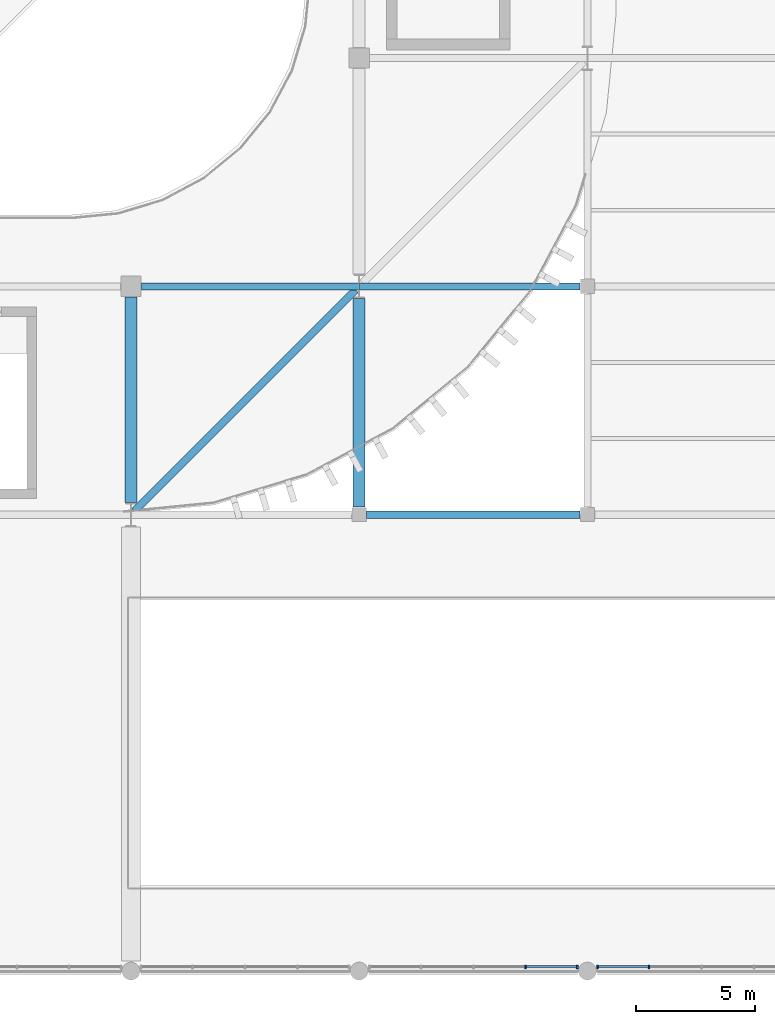
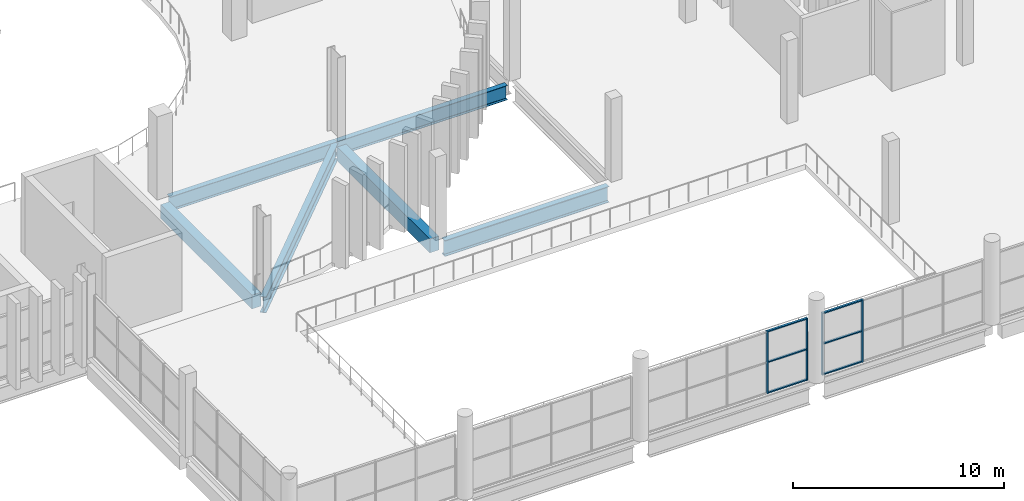
# One storey, part 39 of 99: 10 members, 6 beams, 2 elements without a shape of their own.
"""IFC4 building model written with IfcOpenShell, lengths in metres."""

from ifc_helpers import new_model, si_unit, direction, frame, origin, origin_2d, place, context, subcontext, project, spatial, rectangle, i_section, extrude, material, layer, layer_set, material_profile, profile_set, type_object, element, aggregate, save


model = new_model("IFC4")

# Units and contexts
model_context = context("Model", 3, precision=1e-05, world=origin(), true_north=direction((0.0, 1.0)))
body_context = subcontext(model_context, "Body", "Model", "MODEL_VIEW")
ifc_project = project(units=[si_unit("LENGTHUNIT", "METRE"), si_unit("AREAUNIT", "SQUARE_METRE"), si_unit("VOLUMEUNIT", "CUBIC_METRE"), si_unit("PLANEANGLEUNIT", "RADIAN"), si_unit("MASSUNIT", "GRAM", prefix="KILO")], contexts=[model_context])

# Site, building, storey
site_placement = place(None, origin())
site = spatial("IfcSite", under=ifc_project, at=site_placement, CompositionType="ELEMENT")
building_placement = place(site_placement, origin())
building = spatial("IfcBuilding", under=site, at=building_placement, Name="Caelomonte Colonnade Arena", CompositionType="ELEMENT")
storey_placement = place(building_placement, frame((0.0, 0.0, 4.800048828125)))
storey = spatial("IfcBuildingStorey", under=building, at=storey_placement, Name="L01", CompositionType="ELEMENT", Elevation=4.800048828125)

# Curtain wall, members
ifc_material_1 = material(Name="Bronze anodised aluminium and low-E glazing", Category="aluminium")
ifc_layer = layer(ifc_material_1, 0.179931640625)
ifc_layer_set = layer_set([ifc_layer], Name="Bronze anodised aluminium and low-E glazing")
curtain_wall_type = type_object("IfcCurtainWallType", Name="ENV-CW-CW-L01-89-36", PredefinedType="USERDEFINED", material=ifc_layer_set)
curtain_wall_1_placement = place(storey_placement, origin())
curtain_wall_1 = element("IfcCurtainWall", 1, at=curtain_wall_1_placement, inside=storey, type_object=curtain_wall_type, Name="L01 unitized curtain wall CW-L01-1584-0002", ObjectType="UNITIZED CURTAIN WALL", PredefinedType="USERDEFINED")
ifc_material_2 = material(Name="Bronze anodised aluminium AA6063-T6", Category="aluminium")
ifc_material_profile_1 = material_profile(ifc_material_2, rectangle(XDim=0.06494140625, YDim=0.14990234375, at=origin_2d()), Name="CWM-65X150")
ifc_profile_set_1 = profile_set([ifc_material_profile_1], Name="Bronze anodised aluminium AA6063-T6")
member_type_1 = type_object("IfcMemberType", Name="ENV-CW-MULL2", PredefinedType="MULLION", material=ifc_profile_set_1)
member_1_placement = place(storey_placement, frame((160.6025390625, 0.179931640625, 0.0), z_axis=(0.0, 0.0, 1.0), x_axis=(1.0, 0.0, 0.0)))
member_1 = element("IfcMember", 2, at=member_1_placement, type_object=member_type_1, Name="CW-L01-89-36 mullion 4", PredefinedType="MULLION", context=body_context, shape_type="SweptSolid", body=[
    extrude(rectangle(XDim=0.06494140625, YDim=0.14990234375, at=origin_2d()), origin(), (0.0, 0.0, 1.0), 3.593017578125),
])
member_2_placement = place(storey_placement, frame((162.7724609375, 0.179931640625, 0.0), z_axis=(0.0, 0.0, 1.0), x_axis=(1.0, 0.0, 0.0)))
member_2 = element("IfcMember", 3, at=member_2_placement, type_object=member_type_1, Name="CW-L01-89-36 mullion 5", PredefinedType="MULLION", context=body_context, shape_type="SweptSolid", body=[
    extrude(rectangle(XDim=0.06494140625, YDim=0.14990234375, at=origin_2d()), origin(), (0.0, 0.0, 1.0), 3.593017578125),
])

curtain_wall_2_placement = place(storey_placement, origin())
curtain_wall_2 = element("IfcCurtainWall", 4, at=curtain_wall_2_placement, inside=storey, type_object=curtain_wall_type, Name="L01 unitized curtain wall CW-L01-1680-0002", ObjectType="UNITIZED CURTAIN WALL", PredefinedType="USERDEFINED")
member_3_placement = place(storey_placement, frame((163.62744140625, 0.179931640625, 0.0), z_axis=(0.0, 0.0, 1.0), x_axis=(1.0, 0.0, 0.0)))
member_3 = element("IfcMember", 5, at=member_3_placement, type_object=member_type_1, Name="CW-L01-89-36 mullion 1", PredefinedType="MULLION", context=body_context, shape_type="SweptSolid", body=[
    extrude(rectangle(XDim=0.06494140625, YDim=0.14990234375, at=origin_2d()), origin(), (0.0, 0.0, 1.0), 3.593017578125),
])
member_4_placement = place(storey_placement, frame((165.797607421875, 0.179931640625, 0.0), z_axis=(0.0, 0.0, 1.0), x_axis=(1.0, 0.0, 0.0)))
member_4 = element("IfcMember", 6, at=member_4_placement, type_object=member_type_1, Name="CW-L01-89-36 mullion 2", PredefinedType="MULLION", context=body_context, shape_type="SweptSolid", body=[
    extrude(rectangle(XDim=0.06494140625, YDim=0.14990234375, at=origin_2d()), origin(), (0.0, 0.0, 1.0), 3.593017578125),
])

# Member
ifc_material_profile_2 = material_profile(ifc_material_2, rectangle(XDim=0.06494140625, YDim=0.1201171875, at=origin_2d()), Name="CWT-65X120")
ifc_profile_set_2 = profile_set([ifc_material_profile_2], Name="Bronze anodised aluminium AA6063-T6")
member_type_2 = type_object("IfcMemberType", Name="ENV-CW-TRAN2", PredefinedType="USERDEFINED", material=ifc_profile_set_2)
member_5_placement = place(storey_placement, frame((160.635009765625, 0.179931640625, 0.032470703125), z_axis=(1.0, 0.0, 0.0), x_axis=(0.0, 0.0, 1.0)))
member_5 = element("IfcMember", 7, at=member_5_placement, type_object=member_type_2, Name="CW-L01-89-36 transom 4.1", ObjectType="TRANSOM", PredefinedType="USERDEFINED", context=body_context, shape_type="SweptSolid", body=[
    extrude(rectangle(XDim=0.06494140625, YDim=0.1201171875, at=origin_2d()), origin(), (0.0, 0.0, 1.0), 2.10498046875),
])

member_6_placement = place(storey_placement, frame((160.635009765625, 0.179931640625, 1.79638671875), z_axis=(1.0, 0.0, 0.0), x_axis=(0.0, 0.0, 1.0)))
member_6 = element("IfcMember", 8, at=member_6_placement, type_object=member_type_2, Name="CW-L01-89-36 transom 4.2", ObjectType="TRANSOM", PredefinedType="USERDEFINED", context=body_context, shape_type="SweptSolid", body=[
    extrude(rectangle(XDim=0.06494140625, YDim=0.1201171875, at=origin_2d()), origin(), (0.0, 0.0, 1.0), 2.10498046875),
])

member_7_placement = place(storey_placement, frame((160.635009765625, 0.179931640625, 3.560546875), z_axis=(1.0, 0.0, 0.0), x_axis=(0.0, 0.0, 1.0)))
member_7 = element("IfcMember", 9, at=member_7_placement, type_object=member_type_2, Name="CW-L01-89-36 transom 4.3", ObjectType="TRANSOM", PredefinedType="USERDEFINED", context=body_context, shape_type="SweptSolid", body=[
    extrude(rectangle(XDim=0.06494140625, YDim=0.1201171875, at=origin_2d()), origin(), (0.0, 0.0, 1.0), 2.10498046875),
])

aggregate(curtain_wall_1, [member_1, member_2, member_5, member_6, member_7])

member_8_placement = place(storey_placement, frame((163.659912109375, 0.179931640625, 0.032470703125), z_axis=(1.0, 0.0, 0.0), x_axis=(0.0, 0.0, 1.0)))
member_8 = element("IfcMember", 10, at=member_8_placement, type_object=member_type_2, Name="CW-L01-89-36 transom 1.1", ObjectType="TRANSOM", PredefinedType="USERDEFINED", context=body_context, shape_type="SweptSolid", body=[
    extrude(rectangle(XDim=0.06494140625, YDim=0.1201171875, at=origin_2d()), origin(), (0.0, 0.0, 1.0), 2.10498046875),
])

member_9_placement = place(storey_placement, frame((163.659912109375, 0.179931640625, 1.79638671875), z_axis=(1.0, 0.0, 0.0), x_axis=(0.0, 0.0, 1.0)))
member_9 = element("IfcMember", 11, at=member_9_placement, type_object=member_type_2, Name="CW-L01-89-36 transom 1.2", ObjectType="TRANSOM", PredefinedType="USERDEFINED", context=body_context, shape_type="SweptSolid", body=[
    extrude(rectangle(XDim=0.06494140625, YDim=0.1201171875, at=origin_2d()), origin(), (0.0, 0.0, 1.0), 2.10498046875),
])

member_10_placement = place(storey_placement, frame((163.659912109375, 0.179931640625, 3.560546875), z_axis=(1.0, 0.0, 0.0), x_axis=(0.0, 0.0, 1.0)))
member_10 = element("IfcMember", 12, at=member_10_placement, type_object=member_type_2, Name="CW-L01-89-36 transom 1.3", ObjectType="TRANSOM", PredefinedType="USERDEFINED", context=body_context, shape_type="SweptSolid", body=[
    extrude(rectangle(XDim=0.06494140625, YDim=0.1201171875, at=origin_2d()), origin(), (0.0, 0.0, 1.0), 2.10498046875),
])

aggregate(curtain_wall_2, [member_3, member_4, member_8, member_9, member_10])

# Beams
ifc_material_3 = material(Name="Wide-flange steel ASTM A992 Grade 50", Category="steel")
ifc_material_profile_3 = material_profile(ifc_material_3, i_section(OverallWidth=0.307861328125, OverallDepth=0.927001953125, WebThickness=0.019287109375, FlangeThickness=0.031982421875, FilletRadius=0.020263671875, at=origin_2d()), Name="W36X194")
ifc_profile_set_3 = profile_set([ifc_material_profile_3], Name="Wide-flange steel ASTM A992 Grade 50")
beam_type_1 = type_object("IfcBeamType", Name="STR-BM-EAVES2", PredefinedType="SPANDREL", material=ifc_profile_set_3)
beam_1_placement = place(storey_placement, frame((153.9169921875, 19.199951171875, -0.763427734375), z_axis=(1.0, 0.0, 0.0), x_axis=(0.0, 1.0, 0.0)))
element("IfcBeam", 13, at=beam_1_placement, inside=storey, type_object=beam_type_1, Name="L01 girder BMX-L01-1536-0192", PredefinedType="SPANDREL", context=body_context, shape_type="SweptSolid", body=[
    extrude(i_section(OverallWidth=0.307861328125, OverallDepth=0.927001953125, WebThickness=0.019287109375, FlangeThickness=0.031982421875, FilletRadius=0.020263671875, at=origin_2d()), origin(), (0.0, 0.0, 1.0), 8.966064453125),
])
beam_2_placement = place(storey_placement, frame((144.145263671875, 19.34521484375, -0.763427734375), z_axis=(0.707097509175, 0.707116053077, 0.0), x_axis=(-0.707116053077, 0.707097509175, 0.0)))
element("IfcBeam", 14, at=beam_2_placement, inside=storey, type_object=beam_type_1, Name="L01 drum corner ring girder 3", PredefinedType="SPANDREL", context=body_context, shape_type="SweptSolid", body=[
    extrude(i_section(OverallWidth=0.307861328125, OverallDepth=0.927001953125, WebThickness=0.019287109375, FlangeThickness=0.031982421875, FilletRadius=0.020263671875, at=origin_2d()), origin(), (0.0, 0.0, 1.0), 13.16552734375),
])
ifc_material_profile_4 = material_profile(ifc_material_3, i_section(OverallWidth=0.2919921875, OverallDepth=0.835693359375, WebThickness=0.013916015625, FlangeThickness=0.018798828125, FilletRadius=0.017822265625, at=origin_2d()), Name="W33X118")
ifc_profile_set_4 = profile_set([ifc_material_profile_4], Name="Wide-flange steel ASTM A992 Grade 50")
beam_type_2 = type_object("IfcBeamType", Name="STR-BM-GIRD33B", PredefinedType="BEAM", material=ifc_profile_set_4)
beam_3_placement = place(storey_placement, frame((144.44189453125, 28.800048828125, -0.7177734375), z_axis=(1.0, 0.0, 0.0), x_axis=(0.0, 1.0, 0.0)))
element("IfcBeam", 15, at=beam_3_placement, inside=storey, type_object=beam_type_2, Name="L01 girder BMX-L01-1440-0288", PredefinedType="BEAM", context=body_context, shape_type="SweptSolid", body=[
    extrude(i_section(OverallWidth=0.2919921875, OverallDepth=0.835693359375, WebThickness=0.013916015625, FlangeThickness=0.018798828125, FilletRadius=0.017822265625, at=origin_2d()), origin(), (0.0, 0.0, 1.0), 9.142578125),
])
beam_4_placement = place(storey_placement, frame((153.615478515625, 28.800048828125, -0.7177734375), z_axis=(1.0, 0.0, 0.0), x_axis=(0.0, 1.0, 0.0)))
element("IfcBeam", 16, at=beam_4_placement, inside=storey, type_object=beam_type_2, Name="L01 girder BMX-L01-1536-0288", PredefinedType="BEAM", context=body_context, shape_type="SweptSolid", body=[
    extrude(i_section(OverallWidth=0.2919921875, OverallDepth=0.835693359375, WebThickness=0.013916015625, FlangeThickness=0.018798828125, FilletRadius=0.017822265625, at=origin_2d()), origin(), (0.0, 0.0, 1.0), 9.267578125),
])
ifc_material_4 = material(Name="Concrete C40/50", Category="concrete")
ifc_material_profile_5 = material_profile(ifc_material_4, rectangle(XDim=0.5, YDim=0.800048828125, at=origin_2d()), Name="RC500X800")
ifc_profile_set_5 = profile_set([ifc_material_profile_5], Name="Concrete C40/50")
beam_type_3 = type_object("IfcBeamType", Name="STR-BM-RC50", PredefinedType="BEAM", material=ifc_profile_set_5)
beam_5_placement = place(storey_placement, frame((144.0, 19.712646484375, -0.699951171875), z_axis=(0.0, 1.0, 0.0), x_axis=(-1.0, 0.0, 0.0)))
element("IfcBeam", 17, at=beam_5_placement, inside=storey, type_object=beam_type_3, Name="L01 girder BMY-L01-1440-0192", PredefinedType="BEAM", context=body_context, shape_type="SweptSolid", body=[
    extrude(rectangle(XDim=0.5, YDim=0.800048828125, at=origin_2d()), origin(), (0.0, 0.0, 1.0), 8.645263671875),
])
beam_6_placement = place(storey_placement, frame((153.60009765625, 19.51708984375, -0.699951171875), z_axis=(0.0, 1.0, 0.0), x_axis=(-1.0, 0.0, 0.0)))
element("IfcBeam", 18, at=beam_6_placement, inside=storey, type_object=beam_type_3, Name="L01 girder BMY-L01-1536-0192", PredefinedType="BEAM", context=body_context, shape_type="SweptSolid", body=[
    extrude(rectangle(XDim=0.5, YDim=0.800048828125, at=origin_2d()), origin(), (0.0, 0.0, 1.0), 8.770263671875),
])

save(model, "model.ifc")
